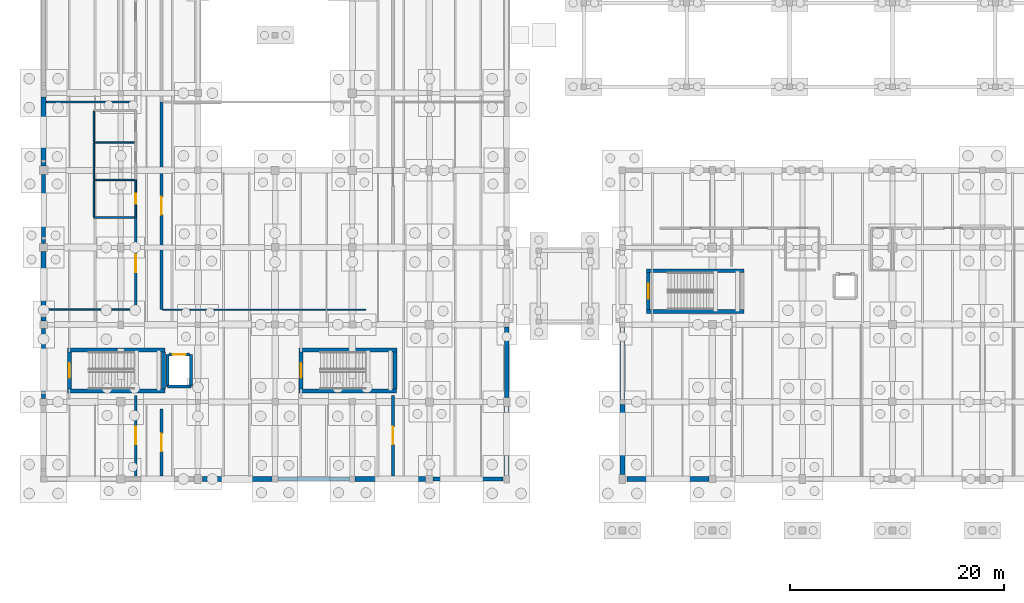
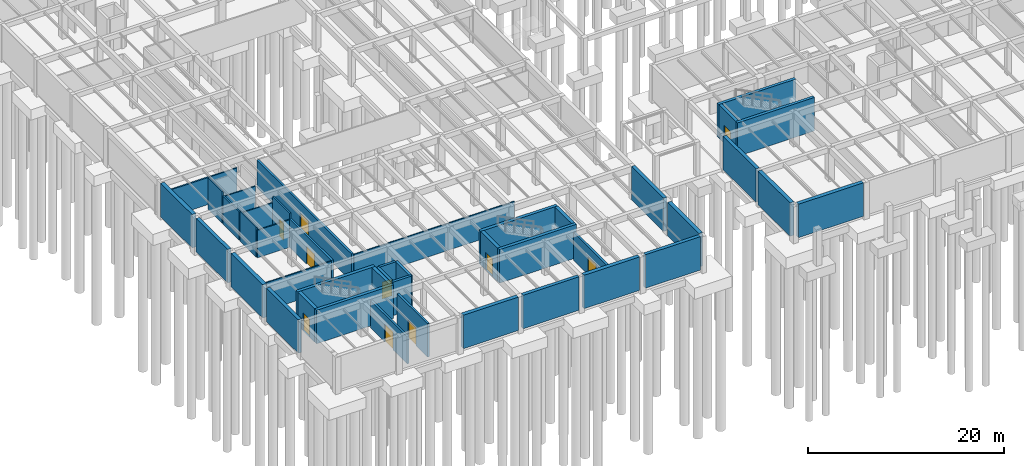
# One storey, part 40 of 63: 43 walls, 10 doors, 10 openings.
"""IFC4 building model written with IfcOpenShell, lengths in metres."""

from ifc_helpers import new_model, si_unit, direction, frame, frame_2d, origin, place, context, subcontext, project, spatial, rectangle, extrude, material, layer, layer_set, type_object, element, fill, save


model = new_model("IFC4")

# Units and contexts
model_context = context("Model", 3, precision=1e-05, world=origin(), true_north=direction((0.0, 1.0)))
body_context = subcontext(model_context, "Body", "Model", "MODEL_VIEW")
ifc_project = project(units=[si_unit("LENGTHUNIT", "METRE"), si_unit("AREAUNIT", "SQUARE_METRE"), si_unit("VOLUMEUNIT", "CUBIC_METRE"), si_unit("PLANEANGLEUNIT", "RADIAN"), si_unit("MASSUNIT", "GRAM", prefix="KILO")], contexts=[model_context])

# Site, building, storey
site_placement = place(None, origin())
site = spatial("IfcSite", under=ifc_project, at=site_placement, CompositionType="ELEMENT")
building_placement = place(site_placement, origin())
building = spatial("IfcBuilding", under=site, at=building_placement, Name="Mazaris Harbour Polytechnic", CompositionType="ELEMENT")
storey_placement = place(building_placement, frame((0.0, 0.0, -4.5)))
storey = spatial("IfcBuildingStorey", under=building, at=storey_placement, Name="B1", CompositionType="ELEMENT", Elevation=-4.5)

# Wall
ifc_material_1 = material(Name="Gypsum Board and Mineral Wool")
ifc_layer_1 = layer(ifc_material_1, 0.1201171875, Name="Gypsum Board and Mineral Wool")
ifc_layer_set_1 = layer_set([ifc_layer_1], Name="Gypsum Board and Mineral Wool")
wall_type_1 = type_object("IfcWallType", Name="Acoustic Stud Partition 120", PredefinedType="PARTITIONING", material=ifc_layer_set_1)
wall_1_placement = place(storey_placement, frame((11.1298828125, 23.0, 0.0), z_axis=(0.0, 0.0, 1.0), x_axis=(1.0, 0.0, 0.0)))
element("IfcWall", 1, at=wall_1_placement, inside=storey, type_object=wall_type_1, Name="V4 B1 Partition 264", PredefinedType="PARTITIONING", context=body_context, shape_type="SweptSolid", body=[
    extrude(rectangle(XDim=18.9501953125, YDim=0.1201171875, at=frame_2d((9.47509765625, 0.0))), origin(), (0.0, 0.0, 1.0), 3.3798828125),
])

# Wall, opening, door
ifc_material_2 = material(Name="Concrete C35/45", Category="concrete")
ifc_layer_2 = layer(ifc_material_2, 0.239990234375, Name="Concrete C35/45")
ifc_layer_set_2 = layer_set([ifc_layer_2], Name="Concrete C35/45")
wall_type_2 = type_object("IfcWallType", Name="Archive Vault Fire Wall 240", PredefinedType="STANDARD", material=ifc_layer_set_2)
wall_2_placement = place(storey_placement, frame((8.60009765625, 7.5, 0.0), z_axis=(0.0, 0.0, 1.0), x_axis=(0.0, 1.0, 0.0)))
wall_2 = element("IfcWall", 2, at=wall_2_placement, inside=storey, type_object=wall_type_2, Name="V4 B1 Partition 253", PredefinedType="STANDARD", context=body_context, shape_type="SweptSolid", body=[
    extrude(rectangle(XDim=7.4951171875, YDim=0.239990234375, at=frame_2d((3.74755859375, 0.0))), origin(), (0.0, 0.0, 1.0), 3.3798828125),
])
opening_1_placement = place(wall_2_placement, frame((2.922607421875, 0.0, 0.0)))
opening_1 = element("IfcOpeningElement", 3, at=opening_1_placement, cuts=wall_2, Name="Opening ID-06D", PredefinedType="OPENING", context=body_context, shape_type="SweptSolid", body=[
    extrude(rectangle(XDim=1.64990234375, YDim=2.25, at=frame_2d((0.824951171875, 1.125))), frame((0.0, 0.1298828125, 0.0), z_axis=(0.0, -1.0, 0.0), x_axis=(1.0, 0.0, 0.0)), (0.0, 0.0, 1.0), 0.260009765625),
])
ifc_material_3 = material(Name="Galvanised Steel S355", Category="steel")
door_type_1 = type_object("IfcDoorType", Name="Plant and Substation Double Door 1650x2250", OperationType="DOUBLE_DOOR_SINGLE_SWING", PredefinedType="DOOR", material=ifc_material_3)
door_1_placement = place(opening_1_placement, origin())
door_1 = element("IfcDoor", 4, at=door_1_placement, inside=storey, type_object=door_type_1, Name="ID-0114", OperationType="DOUBLE_DOOR_SINGLE_SWING", OverallHeight=2.25, OverallWidth=1.64990234375, PredefinedType="DOOR", context=body_context, shape_type="SweptSolid", body=[
    extrude(rectangle(XDim=1.64990234375, YDim=2.25, at=frame_2d((0.824951171875, 1.125))), frame((0.0, 0.02490234375, 0.0), z_axis=(0.0, -1.0, 0.0), x_axis=(1.0, 0.0, 0.0)), (0.0, 0.0, 1.0), 0.050048828125),
])
fill(opening_1, door_1)

wall_3_placement = place(storey_placement, frame((8.60009765625, 23.0, 0.0), z_axis=(0.0, 0.0, 1.0), x_axis=(0.0, 1.0, 0.0)))
wall_3 = element("IfcWall", 5, at=wall_3_placement, inside=storey, type_object=wall_type_2, Name="V4 B1 Partition 255", PredefinedType="STANDARD", context=body_context, shape_type="SweptSolid", body=[
    extrude(rectangle(XDim=8.594970703125, YDim=0.239990234375, at=frame_2d((4.29736328125, 0.0))), origin(), (0.0, 0.0, 1.0), 3.530029296875),
])
opening_2_placement = place(wall_3_placement, frame((3.472412109375, 0.0, 0.0)))
opening_2 = element("IfcOpeningElement", 6, at=opening_2_placement, cuts=wall_3, Name="Opening ID-06D", PredefinedType="OPENING", context=body_context, shape_type="SweptSolid", body=[
    extrude(rectangle(XDim=1.64990234375, YDim=2.25, at=frame_2d((0.824951171875, 1.125))), frame((0.0, 0.1298828125, 0.0), z_axis=(0.0, -1.0, 0.0), x_axis=(1.0, 0.0, 0.0)), (0.0, 0.0, 1.0), 0.260009765625),
])
door_2_placement = place(opening_2_placement, origin())
door_2 = element("IfcDoor", 7, at=door_2_placement, inside=storey, type_object=door_type_1, Name="ID-0115", OperationType="DOUBLE_DOOR_SINGLE_SWING", OverallHeight=2.25, OverallWidth=1.64990234375, PredefinedType="DOOR", context=body_context, shape_type="SweptSolid", body=[
    extrude(rectangle(XDim=1.64990234375, YDim=2.25, at=frame_2d((0.824951171875, 1.125))), frame((0.0, 0.02490234375, 0.0), z_axis=(0.0, -1.0, 0.0), x_axis=(1.0, 0.0, 0.0)), (0.0, 0.0, 1.0), 0.050048828125),
])
fill(opening_2, door_2)

wall_4_placement = place(storey_placement, frame((11.0, 7.5, 0.0), z_axis=(0.0, 0.0, 1.0), x_axis=(0.0, 1.0, 0.0)))
wall_4 = element("IfcWall", 8, at=wall_4_placement, inside=storey, type_object=wall_type_2, Name="V4 B1 Partition 262", PredefinedType="STANDARD", context=body_context, shape_type="SweptSolid", body=[
    extrude(rectangle(XDim=6.219970703125, YDim=0.239990234375, at=frame_2d((3.10986328125, 0.0))), origin(), (0.0, 0.0, 1.0), 4.179931640625),
])
opening_3_placement = place(wall_4_placement, frame((2.284912109375, 0.0, 0.0)))
opening_3 = element("IfcOpeningElement", 9, at=opening_3_placement, cuts=wall_4, Name="Opening ID-06D", PredefinedType="OPENING", context=body_context, shape_type="SweptSolid", body=[
    extrude(rectangle(XDim=1.64990234375, YDim=2.25, at=frame_2d((0.824951171875, 1.125))), frame((0.0, 0.1298828125, 0.0), z_axis=(0.0, -1.0, 0.0), x_axis=(1.0, 0.0, 0.0)), (0.0, 0.0, 1.0), 0.260009765625),
])
door_3_placement = place(opening_3_placement, origin())
door_3 = element("IfcDoor", 10, at=door_3_placement, inside=storey, type_object=door_type_1, Name="ID-0119", OperationType="DOUBLE_DOOR_SINGLE_SWING", OverallHeight=2.25, OverallWidth=1.64990234375, PredefinedType="DOOR", context=body_context, shape_type="SweptSolid", body=[
    extrude(rectangle(XDim=1.64990234375, YDim=2.25, at=frame_2d((0.824951171875, 1.125))), frame((0.0, 0.02490234375, 0.0), z_axis=(0.0, -1.0, 0.0), x_axis=(1.0, 0.0, 0.0)), (0.0, 0.0, 1.0), 0.050048828125),
])
fill(opening_3, door_3)

wall_5_placement = place(storey_placement, frame((11.0, 23.0, 0.0), z_axis=(0.0, 0.0, 1.0), x_axis=(0.0, 1.0, 0.0)))
wall_5 = element("IfcWall", 11, at=wall_5_placement, inside=storey, type_object=wall_type_2, Name="V4 B1 Partition 263", PredefinedType="STANDARD", context=body_context, shape_type="SweptSolid", body=[
    extrude(rectangle(XDim=19.375, YDim=0.239990234375, at=frame_2d((9.6875, 0.0))), origin(), (0.0, 0.0, 1.0), 3.47998046875),
])
opening_4_placement = place(wall_5_placement, frame((8.862548828125, 0.0, 0.0)))
opening_4 = element("IfcOpeningElement", 12, at=opening_4_placement, cuts=wall_5, Name="Opening ID-06D", PredefinedType="OPENING", context=body_context, shape_type="SweptSolid", body=[
    extrude(rectangle(XDim=1.64990234375, YDim=2.25, at=frame_2d((0.824951171875, 1.125))), frame((0.0, 0.1298828125, 0.0), z_axis=(0.0, -1.0, 0.0), x_axis=(1.0, 0.0, 0.0)), (0.0, 0.0, 1.0), 0.260009765625),
])
door_4_placement = place(opening_4_placement, origin())
door_4 = element("IfcDoor", 13, at=door_4_placement, inside=storey, type_object=door_type_1, Name="ID-0120", OperationType="DOUBLE_DOOR_SINGLE_SWING", OverallHeight=2.25, OverallWidth=1.64990234375, PredefinedType="DOOR", context=body_context, shape_type="SweptSolid", body=[
    extrude(rectangle(XDim=1.64990234375, YDim=2.25, at=frame_2d((0.824951171875, 1.125))), frame((0.0, 0.02490234375, 0.0), z_axis=(0.0, -1.0, 0.0), x_axis=(1.0, 0.0, 0.0)), (0.0, 0.0, 1.0), 0.050048828125),
])
fill(opening_4, door_4)

wall_6_placement = place(storey_placement, frame((32.60009765625, 7.5, 0.0), z_axis=(0.0, 0.0, 1.0), x_axis=(0.0, 1.0, 0.0)))
wall_6 = element("IfcWall", 14, at=wall_6_placement, inside=storey, type_object=wall_type_2, Name="V4 B1 Partition 272", PredefinedType="STANDARD", context=body_context, shape_type="SweptSolid", body=[
    extrude(rectangle(XDim=7.4951171875, YDim=0.239990234375, at=frame_2d((3.74755859375, 0.0))), origin(), (0.0, 0.0, 1.0), 3.47998046875),
])
opening_5_placement = place(wall_6_placement, frame((2.922607421875, 0.0, 0.0)))
opening_5 = element("IfcOpeningElement", 15, at=opening_5_placement, cuts=wall_6, Name="Opening ID-06D", PredefinedType="OPENING", context=body_context, shape_type="SweptSolid", body=[
    extrude(rectangle(XDim=1.64990234375, YDim=2.25, at=frame_2d((0.824951171875, 1.125))), frame((0.0, 0.1298828125, 0.0), z_axis=(0.0, -1.0, 0.0), x_axis=(1.0, 0.0, 0.0)), (0.0, 0.0, 1.0), 0.260009765625),
])
door_5_placement = place(opening_5_placement, origin())
door_5 = element("IfcDoor", 16, at=door_5_placement, inside=storey, type_object=door_type_1, Name="ID-0124", OperationType="DOUBLE_DOOR_SINGLE_SWING", OverallHeight=2.25, OverallWidth=1.64990234375, PredefinedType="DOOR", context=body_context, shape_type="SweptSolid", body=[
    extrude(rectangle(XDim=1.64990234375, YDim=2.25, at=frame_2d((0.824951171875, 1.125))), frame((0.0, 0.02490234375, 0.0), z_axis=(0.0, -1.0, 0.0), x_axis=(1.0, 0.0, 0.0)), (0.0, 0.0, 1.0), 0.050048828125),
])
fill(opening_5, door_5)

# Walls
ifc_material_4 = material(Name="Double Gypsum and Mineral Wool")
ifc_layer_3 = layer(ifc_material_4, 0.14990234375, Name="Double Gypsum and Mineral Wool")
ifc_layer_set_3 = layer_set([ifc_layer_3], Name="Double Gypsum and Mineral Wool")
wall_type_3 = type_object("IfcWallType", Name="Classroom Acoustic Partition 150", PredefinedType="PARTITIONING", material=ifc_layer_set_3)
wall_7_placement = place(storey_placement, frame((0.25, 23.0, 0.0), z_axis=(0.0, 0.0, 1.0), x_axis=(1.0, 0.0, 0.0)))
element("IfcWall", 17, at=wall_7_placement, inside=storey, type_object=wall_type_3, Name="V4 B1 Partition 254", PredefinedType="PARTITIONING", context=body_context, shape_type="SweptSolid", body=[
    extrude(rectangle(XDim=8.22998046875, YDim=0.14990234375, at=frame_2d((4.114990234375, 0.0))), origin(), (0.0, 0.0, 1.0), 3.47998046875),
])
ifc_material_5 = material(Name="Fireboard and Mineral Wool")
ifc_layer_4 = layer(ifc_material_5, 0.1650390625, Name="Fireboard and Mineral Wool")
ifc_layer_set_4 = layer_set([ifc_layer_4], Name="Fireboard and Mineral Wool")
wall_type_4 = type_object("IfcWallType", Name="Laboratory Rated Partition 165", PredefinedType="PARTITIONING", material=ifc_layer_set_4)
wall_8_placement = place(storey_placement, frame((0.25, 42.375, 0.0), z_axis=(0.0, 0.0, 1.0), x_axis=(1.0, 0.0, 0.0)))
element("IfcWall", 18, at=wall_8_placement, inside=storey, type_object=wall_type_4, Name="V4 B1 Partition 256", PredefinedType="PARTITIONING", context=body_context, shape_type="SweptSolid", body=[
    extrude(rectangle(XDim=8.22998046875, YDim=0.1650390625, at=frame_2d((4.114990234375, 0.0))), origin(), (0.0, 0.0, 1.0), 3.3798828125),
])

# Wall, opening, door
ifc_material_6 = material(Name="Moisture-Resistant Blockwork", Category="masonry")
ifc_layer_5 = layer(ifc_material_6, 0.175048828125, Name="Moisture-Resistant Blockwork")
ifc_layer_set_5 = layer_set([ifc_layer_5], Name="Moisture-Resistant Blockwork")
wall_type_5 = type_object("IfcWallType", Name="Laboratory Wet Service Wall 175", PredefinedType="PLUMBINGWALL", material=ifc_layer_set_5)
wall_9_placement = place(storey_placement, frame((8.60009765625, 31.60009765625, 0.0), z_axis=(0.0, 0.0, 1.0), x_axis=(0.0, 1.0, 0.0)))
wall_9 = element("IfcWall", 19, at=wall_9_placement, inside=storey, type_object=wall_type_5, Name="V4 B1 Partition 243", PredefinedType="PLUMBINGWALL", context=body_context, shape_type="SweptSolid", body=[
    extrude(rectangle(XDim=3.5, YDim=0.175048828125, at=frame_2d((1.75, 0.0))), origin(), (0.0, 0.0, 1.0), 4.179931640625),
])
opening_6_placement = place(wall_9_placement, frame((1.300048828125, 0.0, 0.0)))
opening_6 = element("IfcOpeningElement", 20, at=opening_6_placement, cuts=wall_9, Name="Opening ID-07R", PredefinedType="OPENING", context=body_context, shape_type="SweptSolid", body=[
    extrude(rectangle(XDim=0.89990234375, YDim=2.10009765625, at=frame_2d((0.449951171875, 1.050048828125))), frame((0.0, 0.097412109375, 0.0), z_axis=(0.0, -1.0, 0.0), x_axis=(1.0, 0.0, 0.0)), (0.0, 0.0, 1.0), 0.195068359375),
])
ifc_material_7 = material(Name="Moisture-Resistant Laminate Timber", Category="wood")
door_type_2 = type_object("IfcDoorType", Name="Sanitary Room Door RH 900x2100", OperationType="SINGLE_SWING_RIGHT", PredefinedType="DOOR", material=ifc_material_7)
door_6_placement = place(opening_6_placement, origin())
door_6 = element("IfcDoor", 21, at=door_6_placement, inside=storey, type_object=door_type_2, Name="ID-0111", OperationType="SINGLE_SWING_RIGHT", OverallHeight=2.10009765625, OverallWidth=0.89990234375, PredefinedType="DOOR", context=body_context, shape_type="SweptSolid", body=[
    extrude(rectangle(XDim=0.89990234375, YDim=2.10009765625, at=frame_2d((0.449951171875, 1.050048828125))), frame((0.0, 0.02490234375, 0.0), z_axis=(0.0, -1.0, 0.0), x_axis=(1.0, 0.0, 0.0)), (0.0, 0.0, 1.0), 0.050048828125),
])
fill(opening_6, door_6)

# Walls
ifc_material_8 = material(Name="Concrete C35/45", Category="concrete")
ifc_layer_6 = layer(ifc_material_8, 0.39990234375, Name="Concrete C35/45")
ifc_layer_set_6 = layer_set([ifc_layer_6], Name="Concrete C35/45")
wall_type_6 = type_object("IfcWallType", Name="RC Basement Retaining Wall 400", PredefinedType="USERDEFINED", material=ifc_layer_set_6)
wall_10_placement = place(storey_placement, frame((54.0, 14.625, 0.0), z_axis=(0.0, 0.0, 1.0), x_axis=(0.0, 1.0, 0.0)))
element("IfcWall", 22, at=wall_10_placement, inside=storey, type_object=wall_type_6, Name="V3 B1 Retaining Wall 64", ObjectType="RETAINING WALL", PredefinedType="USERDEFINED", context=body_context, shape_type="SweptSolid", body=[
    extrude(rectangle(XDim=6.72509765625, YDim=0.39990234375, at=frame_2d((3.362548828125, 0.0))), origin(), (0.0, 0.0, 1.0), 4.179931640625),
])
wall_11_placement = place(storey_placement, frame((21.875, 7.199951171875, 0.0), z_axis=(0.0, 0.0, 1.0), x_axis=(1.0, 0.0, 0.0)))
element("IfcWall", 23, at=wall_11_placement, inside=storey, type_object=wall_type_6, Name="V4 B1 Retaining Wall 72", ObjectType="RETAINING WALL", PredefinedType="USERDEFINED", context=body_context, shape_type="SweptSolid", body=[
    extrude(rectangle(XDim=6.64990234375, YDim=0.39990234375, at=frame_2d((3.324951171875, 0.0))), origin(), (0.0, 0.0, 1.0), 4.179931640625),
])
wall_12_placement = place(storey_placement, frame((36.35009765625, 7.199951171875, 0.0), z_axis=(0.0, 0.0, 1.0), x_axis=(1.0, 0.0, 0.0)))
element("IfcWall", 24, at=wall_12_placement, inside=storey, type_object=wall_type_6, Name="V4 B1 Retaining Wall 74", ObjectType="RETAINING WALL", PredefinedType="USERDEFINED", context=body_context, shape_type="SweptSolid", body=[
    extrude(rectangle(XDim=6.5, YDim=0.39990234375, at=frame_2d((3.25, 0.0))), origin(), (0.0, 0.0, 1.0), 4.179931640625),
])
wall_13_placement = place(storey_placement, frame((0.0, 14.72509765625, 0.0), z_axis=(0.0, 0.0, 1.0), x_axis=(0.0, 1.0, 0.0)))
element("IfcWall", 25, at=wall_13_placement, inside=storey, type_object=wall_type_6, Name="V4 B1 Retaining Wall 82", ObjectType="RETAINING WALL", PredefinedType="USERDEFINED", context=body_context, shape_type="SweptSolid", body=[
    extrude(rectangle(XDim=6.52490234375, YDim=0.39990234375, at=frame_2d((3.262451171875, 0.0))), origin(), (0.0, 0.0, 1.0), 4.179931640625),
])
wall_14_placement = place(storey_placement, frame((0.0, 29.175048828125, 0.0), z_axis=(0.0, 0.0, 1.0), x_axis=(0.0, 1.0, 0.0)))
element("IfcWall", 26, at=wall_14_placement, inside=storey, type_object=wall_type_6, Name="V4 B1 Retaining Wall 84", ObjectType="RETAINING WALL", PredefinedType="USERDEFINED", context=body_context, shape_type="SweptSolid", body=[
    extrude(rectangle(XDim=6.425048828125, YDim=0.39990234375, at=frame_2d((3.21240234375, 0.0))), origin(), (0.0, 0.0, 1.0), 4.179931640625),
])
wall_15_placement = place(storey_placement, frame((43.199951171875, 14.824951171875, 0.0), z_axis=(0.0, 0.0, 1.0), x_axis=(0.0, 1.0, 0.0)))
element("IfcWall", 27, at=wall_15_placement, inside=storey, type_object=wall_type_6, Name="V4 B1 Retaining Wall 94", ObjectType="RETAINING WALL", PredefinedType="USERDEFINED", context=body_context, shape_type="SweptSolid", body=[
    extrude(rectangle(XDim=6.550048828125, YDim=0.39990234375, at=frame_2d((3.27490234375, 0.0))), origin(), (0.0, 0.0, 1.0), 4.179931640625),
])
ifc_material_9 = material(Name="Concrete C35/45", Category="concrete")
ifc_layer_7 = layer(ifc_material_9, 0.449951171875, Name="Concrete C35/45")
ifc_layer_set_7 = layer_set([ifc_layer_7], Name="Concrete C35/45")
wall_type_7 = type_object("IfcWallType", Name="RC Basement Retaining Wall 450", PredefinedType="USERDEFINED", material=ifc_layer_set_7)
wall_16_placement = place(storey_placement, frame((54.425048828125, 7.199951171875, 0.0), z_axis=(0.0, 0.0, 1.0), x_axis=(1.0, 0.0, 0.0)))
element("IfcWall", 28, at=wall_16_placement, inside=storey, type_object=wall_type_7, Name="V3 B1 Retaining Wall 49", ObjectType="RETAINING WALL", PredefinedType="USERDEFINED", context=body_context, shape_type="SweptSolid", body=[
    extrude(rectangle(XDim=7.64990234375, YDim=0.449951171875, at=frame_2d((3.824951171875, 0.0))), origin(), (0.0, 0.0, 1.0), 4.179931640625),
])
wall_17_placement = place(storey_placement, frame((54.0, 7.625, 0.0), z_axis=(0.0, 0.0, 1.0), x_axis=(0.0, 1.0, 0.0)))
element("IfcWall", 29, at=wall_17_placement, inside=storey, type_object=wall_type_7, Name="V3 B1 Retaining Wall 63", ObjectType="RETAINING WALL", PredefinedType="USERDEFINED", context=body_context, shape_type="SweptSolid", body=[
    extrude(rectangle(XDim=6.550048828125, YDim=0.449951171875, at=frame_2d((3.27490234375, 0.0))), origin(), (0.0, 0.0, 1.0), 4.179931640625),
])
wall_18_placement = place(storey_placement, frame((14.824951171875, 7.199951171875, 0.0), z_axis=(0.0, 0.0, 1.0), x_axis=(1.0, 0.0, 0.0)))
element("IfcWall", 30, at=wall_18_placement, inside=storey, type_object=wall_type_7, Name="V4 B1 Retaining Wall 71", ObjectType="RETAINING WALL", PredefinedType="USERDEFINED", context=body_context, shape_type="SweptSolid", body=[
    extrude(rectangle(XDim=6.5, YDim=0.449951171875, at=frame_2d((3.25, 0.0))), origin(), (0.0, 0.0, 1.0), 4.179931640625),
])
wall_19_placement = place(storey_placement, frame((29.074951171875, 7.199951171875, 0.0), z_axis=(0.0, 0.0, 1.0), x_axis=(1.0, 0.0, 0.0)))
element("IfcWall", 31, at=wall_19_placement, inside=storey, type_object=wall_type_7, Name="V4 B1 Retaining Wall 73", ObjectType="RETAINING WALL", PredefinedType="USERDEFINED", context=body_context, shape_type="SweptSolid", body=[
    extrude(rectangle(XDim=6.574951171875, YDim=0.449951171875, at=frame_2d((3.28759765625, 0.0))), origin(), (0.0, 0.0, 1.0), 4.179931640625),
])
wall_20_placement = place(storey_placement, frame((0.0, 21.949951171875, 0.0), z_axis=(0.0, 0.0, 1.0), x_axis=(0.0, 1.0, 0.0)))
element("IfcWall", 32, at=wall_20_placement, inside=storey, type_object=wall_type_7, Name="V4 B1 Retaining Wall 83", ObjectType="RETAINING WALL", PredefinedType="USERDEFINED", context=body_context, shape_type="SweptSolid", body=[
    extrude(rectangle(XDim=6.47509765625, YDim=0.449951171875, at=frame_2d((3.237548828125, 0.0))), origin(), (0.0, 0.0, 1.0), 4.179931640625),
])
wall_21_placement = place(storey_placement, frame((0.0, 36.39990234375, 0.0), z_axis=(0.0, 0.0, 1.0), x_axis=(0.0, 1.0, 0.0)))
element("IfcWall", 33, at=wall_21_placement, inside=storey, type_object=wall_type_7, Name="V4 B1 Retaining Wall 85", ObjectType="RETAINING WALL", PredefinedType="USERDEFINED", context=body_context, shape_type="SweptSolid", body=[
    extrude(rectangle(XDim=6.4501953125, YDim=0.449951171875, at=frame_2d((3.22509765625, 0.0))), origin(), (0.0, 0.0, 1.0), 4.179931640625),
])
wall_22_placement = place(storey_placement, frame((43.199951171875, 7.550048828125, 0.0), z_axis=(0.0, 0.0, 1.0), x_axis=(0.0, 1.0, 0.0)))
element("IfcWall", 34, at=wall_22_placement, inside=storey, type_object=wall_type_7, Name="V4 B1 Retaining Wall 93", ObjectType="RETAINING WALL", PredefinedType="USERDEFINED", context=body_context, shape_type="SweptSolid", body=[
    extrude(rectangle(XDim=6.425048828125, YDim=0.449951171875, at=frame_2d((3.21240234375, 0.0))), origin(), (0.0, 0.0, 1.0), 4.179931640625),
])
ifc_material_10 = material(Name="Concrete C40/50", Category="concrete")
ifc_layer_8 = layer(ifc_material_10, 0.35009765625, Name="Concrete C40/50")
ifc_layer_set_8 = layer_set([ifc_layer_8], Name="Concrete C40/50")
wall_type_8 = type_object("IfcWallType", Name="RC Core Shear Wall 350", PredefinedType="SHEAR", material=ifc_layer_set_8)
for number, where, z_axis, x_axis, name in (
    (35, (56.25, 22.824951171875, 0.0), (0.0, 0.0, 1.0), (1.0, 0.0, 0.0), "Core ST05 B1 Shear Wall S"),
    (36, (65.35009765625, 26.625, 0.0), (0.0, 0.0, 1.0), (-1.0, 0.0, 0.0), "Core ST05 B1 Shear Wall N"),
):
    element("IfcWall", number, at=place(storey_placement, frame(where, z_axis=z_axis, x_axis=x_axis)), inside=storey, type_object=wall_type_8, Name=name, PredefinedType="SHEAR", context=body_context, shape_type="SweptSolid", body=[
        extrude(rectangle(XDim=9.10009765625, YDim=0.35009765625, at=frame_2d((4.550048828125, 0.0))), origin(), (0.0, 0.0, 1.0), 4.179931640625),
    ])

# Wall, opening, door
wall_23_placement = place(storey_placement, frame((56.425048828125, 26.449951171875, 0.0), z_axis=(0.0, 0.0, 1.0), x_axis=(0.0, -1.0, 0.0)))
wall_23 = element("IfcWall", 37, at=wall_23_placement, inside=storey, type_object=wall_type_8, Name="Core ST05 B1 Entrance Shear Wall", PredefinedType="SHEAR", context=body_context, shape_type="SweptSolid", body=[
    extrude(rectangle(XDim=3.449951171875, YDim=0.35009765625, at=frame_2d((1.72509765625, 0.0))), origin(), (0.0, 0.0, 1.0), 4.179931640625),
])
opening_7_placement = place(wall_23_placement, frame((1.034912109375, 0.0, 0.0)))
opening_7 = element("IfcOpeningElement", 38, at=opening_7_placement, cuts=wall_23, Name="Opening SD-01", PredefinedType="OPENING", context=body_context, shape_type="SweptSolid", body=[
    extrude(rectangle(XDim=1.3798828125, YDim=2.199951171875, at=frame_2d((0.68994140625, 1.10009765625))), frame((0.0, 0.18505859375, 0.0), z_axis=(0.0, -1.0, 0.0), x_axis=(1.0, 0.0, 0.0)), (0.0, 0.0, 1.0), 0.3701171875),
])
ifc_material_11 = material(Name="Glulam Timber and Fire Glass", Category="wood")
door_type_3 = type_object("IfcDoorType", Name="Protected Stair Lobby Fire Door 1380x2200", OperationType="DOUBLE_DOOR_SINGLE_SWING", PredefinedType="DOOR", material=ifc_material_11)
door_7_placement = place(opening_7_placement, origin())
door_7 = element("IfcDoor", 39, at=door_7_placement, inside=storey, type_object=door_type_3, Name="SD-019", OperationType="DOUBLE_DOOR_SINGLE_SWING", OverallHeight=2.199951171875, OverallWidth=1.3798828125, PredefinedType="DOOR", context=body_context, shape_type="SweptSolid", body=[
    extrude(rectangle(XDim=1.3798828125, YDim=2.199951171875, at=frame_2d((0.68994140625, 1.10009765625))), frame((0.0, 0.02490234375, 0.0), z_axis=(0.0, -1.0, 0.0), x_axis=(1.0, 0.0, 0.0)), (0.0, 0.0, 1.0), 0.050048828125),
])
fill(opening_7, door_7)

# Walls
ifc_material_12 = material(Name="Concrete C40/50", Category="concrete")
ifc_layer_9 = layer(ifc_material_12, 0.375, Name="Concrete C40/50")
ifc_layer_set_9 = layer_set([ifc_layer_9], Name="Concrete C40/50")
wall_type_9 = type_object("IfcWallType", Name="RC Core Shear Wall 375", PredefinedType="SHEAR", material=ifc_layer_set_9)
for number, where, z_axis, x_axis, name in (
    (40, (2.25, 15.425048828125, 0.0), (0.0, 0.0, 1.0), (1.0, 0.0, 0.0), "Core ST07 B1 Shear Wall S"),
    (41, (11.35009765625, 19.22509765625, 0.0), (0.0, 0.0, 1.0), (-1.0, 0.0, 0.0), "Core ST07 B1 Shear Wall N"),
):
    element("IfcWall", number, at=place(storey_placement, frame(where, z_axis=z_axis, x_axis=x_axis)), inside=storey, type_object=wall_type_9, Name=name, PredefinedType="SHEAR", context=body_context, shape_type="SweptSolid", body=[
        extrude(rectangle(XDim=9.10009765625, YDim=0.375, at=frame_2d((4.550048828125, 0.0))), origin(), (0.0, 0.0, 1.0), 4.179931640625),
    ])
wall_24_placement = place(storey_placement, frame((11.175048828125, 15.60009765625, 0.0), z_axis=(0.0, 0.0, 1.0), x_axis=(0.0, 1.0, 0.0)))
element("IfcWall", 42, at=wall_24_placement, inside=storey, type_object=wall_type_9, Name="Core ST07 B1 Shear Wall E", PredefinedType="SHEAR", context=body_context, shape_type="SweptSolid", body=[
    extrude(rectangle(XDim=3.449951171875, YDim=0.375, at=frame_2d((1.72509765625, 0.0))), origin(), (0.0, 0.0, 1.0), 4.179931640625),
])
for number, where, z_axis, x_axis, name in (
    (43, (23.85009765625, 15.425048828125, 0.0), (0.0, 0.0, 1.0), (1.0, 0.0, 0.0), "Core ST08 B1 Shear Wall S"),
    (44, (32.949951171875, 19.22509765625, 0.0), (0.0, 0.0, 1.0), (-1.0, 0.0, 0.0), "Core ST08 B1 Shear Wall N"),
):
    element("IfcWall", number, at=place(storey_placement, frame(where, z_axis=z_axis, x_axis=x_axis)), inside=storey, type_object=wall_type_9, Name=name, PredefinedType="SHEAR", context=body_context, shape_type="SweptSolid", body=[
        extrude(rectangle(XDim=9.099853515625, YDim=0.375, at=frame_2d((4.5498046875, 0.0))), origin(), (0.0, 0.0, 1.0), 4.179931640625),
    ])
wall_25_placement = place(storey_placement, frame((32.77490234375, 15.60009765625, 0.0), z_axis=(0.0, 0.0, 1.0), x_axis=(0.0, 1.0, 0.0)))
element("IfcWall", 45, at=wall_25_placement, inside=storey, type_object=wall_type_9, Name="Core ST08 B1 Shear Wall E", PredefinedType="SHEAR", context=body_context, shape_type="SweptSolid", body=[
    extrude(rectangle(XDim=3.449951171875, YDim=0.375, at=frame_2d((1.72509765625, 0.0))), origin(), (0.0, 0.0, 1.0), 4.179931640625),
])

# Wall, opening, door
wall_26_placement = place(storey_placement, frame((2.425048828125, 19.050048828125, 0.0), z_axis=(0.0, 0.0, 1.0), x_axis=(0.0, -1.0, 0.0)))
wall_26 = element("IfcWall", 46, at=wall_26_placement, inside=storey, type_object=wall_type_9, Name="Core ST07 B1 Entrance Shear Wall", PredefinedType="SHEAR", context=body_context, shape_type="SweptSolid", body=[
    extrude(rectangle(XDim=3.449951171875, YDim=0.375, at=frame_2d((1.72509765625, 0.0))), origin(), (0.0, 0.0, 1.0), 4.179931640625),
])
opening_8_placement = place(wall_26_placement, frame((1.034912109375, 0.0, 0.0)))
opening_8 = element("IfcOpeningElement", 47, at=opening_8_placement, cuts=wall_26, Name="Opening SD-01", PredefinedType="OPENING", context=body_context, shape_type="SweptSolid", body=[
    extrude(rectangle(XDim=1.3798828125, YDim=2.199951171875, at=frame_2d((0.68994140625, 1.10009765625))), frame((0.0, 0.197509765625, 0.0), z_axis=(0.0, -1.0, 0.0), x_axis=(1.0, 0.0, 0.0)), (0.0, 0.0, 1.0), 0.39501953125),
])
door_8_placement = place(opening_8_placement, origin())
door_8 = element("IfcDoor", 48, at=door_8_placement, inside=storey, type_object=door_type_3, Name="SD-028", OperationType="DOUBLE_DOOR_SINGLE_SWING", OverallHeight=2.199951171875, OverallWidth=1.3798828125, PredefinedType="DOOR", context=body_context, shape_type="SweptSolid", body=[
    extrude(rectangle(XDim=1.3798828125, YDim=2.199951171875, at=frame_2d((0.68994140625, 1.10009765625))), frame((0.0, 0.02490234375, 0.0), z_axis=(0.0, -1.0, 0.0), x_axis=(1.0, 0.0, 0.0)), (0.0, 0.0, 1.0), 0.050048828125),
])
fill(opening_8, door_8)

wall_27_placement = place(storey_placement, frame((24.02490234375, 19.050048828125, 0.0), z_axis=(0.0, 0.0, 1.0), x_axis=(0.0, -1.0, 0.0)))
wall_27 = element("IfcWall", 49, at=wall_27_placement, inside=storey, type_object=wall_type_9, Name="Core ST08 B1 Entrance Shear Wall", PredefinedType="SHEAR", context=body_context, shape_type="SweptSolid", body=[
    extrude(rectangle(XDim=3.449951171875, YDim=0.375, at=frame_2d((1.72509765625, 0.0))), origin(), (0.0, 0.0, 1.0), 4.179931640625),
])
opening_9_placement = place(wall_27_placement, frame((1.034912109375, 0.0, 0.0)))
opening_9 = element("IfcOpeningElement", 50, at=opening_9_placement, cuts=wall_27, Name="Opening SD-01", PredefinedType="OPENING", context=body_context, shape_type="SweptSolid", body=[
    extrude(rectangle(XDim=1.3798828125, YDim=2.199951171875, at=frame_2d((0.68994140625, 1.10009765625))), frame((0.0, 0.197509765625, 0.0), z_axis=(0.0, -1.0, 0.0), x_axis=(1.0, 0.0, 0.0)), (0.0, 0.0, 1.0), 0.39501953125),
])
door_9_placement = place(opening_9_placement, origin())
door_9 = element("IfcDoor", 51, at=door_9_placement, inside=storey, type_object=door_type_3, Name="SD-035", OperationType="DOUBLE_DOOR_SINGLE_SWING", OverallHeight=2.199951171875, OverallWidth=1.3798828125, PredefinedType="DOOR", context=body_context, shape_type="SweptSolid", body=[
    extrude(rectangle(XDim=1.3798828125, YDim=2.199951171875, at=frame_2d((0.68994140625, 1.10009765625))), frame((0.0, 0.02490234375, 0.0), z_axis=(0.0, -1.0, 0.0), x_axis=(1.0, 0.0, 0.0)), (0.0, 0.0, 1.0), 0.050048828125),
])
fill(opening_9, door_9)

# Walls
ifc_material_13 = material(Name="Concrete C40/50", Category="concrete")
ifc_layer_10 = layer(ifc_material_13, 0.300048828125, Name="Concrete C40/50")
ifc_layer_set_10 = layer_set([ifc_layer_10], Name="Concrete C40/50")
wall_type_10 = type_object("IfcWallType", Name="RC Lift Shaft Wall 300", PredefinedType="SHEAR", material=ifc_layer_set_10)
wall_28_placement = place(storey_placement, frame((11.550048828125, 15.824951171875, 0.0), z_axis=(0.0, 0.0, 1.0), x_axis=(1.0, 0.0, 0.0)))
element("IfcWall", 52, at=wall_28_placement, inside=storey, type_object=wall_type_10, Name="Lift LF-01 B1 South Shaft Wall", PredefinedType="SHEAR", context=body_context, shape_type="SweptSolid", body=[
    extrude(rectangle(XDim=2.199951171875, YDim=0.300048828125, at=frame_2d((1.10009765625, 0.0))), origin(), (0.0, 0.0, 1.0), 4.179931640625),
])
for number, where, z_axis, x_axis, name in (
    (53, (11.550048828125, 18.824951171875, 0.0), (0.0, 0.0, 1.0), (0.0, -1.0, 0.0), "Lift LF-01 B1 West Shaft Wall"),
    (54, (13.75, 15.824951171875, 0.0), (0.0, 0.0, 1.0), (0.0, 1.0, 0.0), "Lift LF-01 B1 East Shaft Wall"),
):
    element("IfcWall", number, at=place(storey_placement, frame(where, z_axis=z_axis, x_axis=x_axis)), inside=storey, type_object=wall_type_10, Name=name, PredefinedType="SHEAR", context=body_context, shape_type="SweptSolid", body=[
        extrude(rectangle(XDim=3.0, YDim=0.300048828125, at=frame_2d((1.5, 0.0))), origin(), (0.0, 0.0, 1.0), 4.179931640625),
    ])

# Wall, opening, door
wall_29_placement = place(storey_placement, frame((11.68994140625, 18.824951171875, 0.0), z_axis=(0.0, 0.0, 1.0), x_axis=(1.0, 0.0, 0.0)))
wall_29 = element("IfcWall", 55, at=wall_29_placement, inside=storey, type_object=wall_type_10, Name="Lift LF-01 B1 Front Shaft Wall", PredefinedType="SHEAR", context=body_context, shape_type="SweptSolid", body=[
    extrude(rectangle(XDim=1.920166015625, YDim=0.300048828125, at=frame_2d((0.9599609375, 0.0))), origin(), (0.0, 0.0, 1.0), 4.179931640625),
])
opening_10_placement = place(wall_29_placement, frame((0.360107421875, 0.0, 0.0)))
opening_10 = element("IfcOpeningElement", 56, at=opening_10_placement, cuts=wall_29, Name="Opening LD-02", PredefinedType="OPENING", context=body_context, shape_type="SweptSolid", body=[
    extrude(rectangle(XDim=1.199951171875, YDim=2.10009765625, at=frame_2d((0.60009765625, 1.050048828125))), frame((0.0, 0.159912109375, 0.0), z_axis=(0.0, -1.0, 0.0), x_axis=(1.0, 0.0, 0.0)), (0.0, 0.0, 1.0), 0.320068359375),
])
ifc_material_14 = material(Name="Stainless Steel S355", Category="steel")
door_type_4 = type_object("IfcDoorType", Name="Sliding Firefighting Lift Landing Door 1200x2100", OperationType="SLIDING_TO_LEFT", PredefinedType="DOOR", material=ifc_material_14)
door_10_placement = place(opening_10_placement, origin())
door_10 = element("IfcDoor", 57, at=door_10_placement, inside=storey, type_object=door_type_4, Name="LD-001", OperationType="SLIDING_TO_LEFT", OverallHeight=2.10009765625, OverallWidth=1.199951171875, PredefinedType="DOOR", context=body_context, shape_type="SweptSolid", body=[
    extrude(rectangle(XDim=1.199951171875, YDim=2.10009765625, at=frame_2d((0.60009765625, 1.050048828125))), frame((0.0, 0.02490234375, 0.0), z_axis=(0.0, -1.0, 0.0), x_axis=(1.0, 0.0, 0.0)), (0.0, 0.0, 1.0), 0.050048828125),
])
fill(opening_10, door_10)

# Walls
ifc_material_15 = material(Name="Moisture-Resistant Gypsum and Steel Stud", Category="steel")
ifc_layer_11 = layer(ifc_material_15, 0.14501953125, Name="Moisture-Resistant Gypsum and Steel Stud")
ifc_layer_set_11 = layer_set([ifc_layer_11], Name="Moisture-Resistant Gypsum and Steel Stud")
wall_type_11 = type_object("IfcWallType", Name="Sanitary Plumbing Wall 145", PredefinedType="PLUMBINGWALL", material=ifc_layer_set_11)
for number, where, z_axis, x_axis, name in (
    (58, (4.699951171875, 31.60009765625, 0.0), (0.0, 0.0, 1.0), (1.0, 0.0, 0.0), "V4 B1 Partition 244"),
    (59, (4.699951171875, 35.10009765625, 0.0), (0.0, 0.0, 1.0), (1.0, 0.0, 0.0), "V4 B1 Partition 245"),
):
    element("IfcWall", number, at=place(storey_placement, frame(where, z_axis=z_axis, x_axis=x_axis)), inside=storey, type_object=wall_type_11, Name=name, PredefinedType="PLUMBINGWALL", context=body_context, shape_type="SweptSolid", body=[
        extrude(rectangle(XDim=3.780029296875, YDim=0.14501953125, at=frame_2d((1.89013671875, 0.0))), origin(), (0.0, 0.0, 1.0), 3.429931640625),
    ])
wall_30_placement = place(storey_placement, frame((4.699951171875, 31.6826171875, 0.0), z_axis=(0.0, 0.0, 1.0), x_axis=(0.0, 1.0, 0.0)))
element("IfcWall", 60, at=wall_30_placement, inside=storey, type_object=wall_type_11, Name="V4 B1 Partition 246", PredefinedType="PLUMBINGWALL", context=body_context, shape_type="SweptSolid", body=[
    extrude(rectangle(XDim=3.3349609375, YDim=0.14501953125, at=frame_2d((1.66748046875, 0.0))), origin(), (0.0, 0.0, 1.0), 3.72998046875),
])
wall_31_placement = place(storey_placement, frame((4.699951171875, 38.60009765625, 0.0), z_axis=(0.0, 0.0, 1.0), x_axis=(1.0, 0.0, 0.0)))
element("IfcWall", 61, at=wall_31_placement, inside=storey, type_object=wall_type_11, Name="V4 B1 Partition 248", PredefinedType="PLUMBINGWALL", context=body_context, shape_type="SweptSolid", body=[
    extrude(rectangle(XDim=3.780029296875, YDim=0.14501953125, at=frame_2d((1.89013671875, 0.0))), origin(), (0.0, 0.0, 1.0), 3.3798828125),
])
wall_32_placement = place(storey_placement, frame((4.699951171875, 35.1826171875, 0.0), z_axis=(0.0, 0.0, 1.0), x_axis=(0.0, 1.0, 0.0)))
element("IfcWall", 62, at=wall_32_placement, inside=storey, type_object=wall_type_11, Name="V4 B1 Partition 249", PredefinedType="PLUMBINGWALL", context=body_context, shape_type="SweptSolid", body=[
    extrude(rectangle(XDim=3.3349609375, YDim=0.14501953125, at=frame_2d((1.66748046875, 0.0))), origin(), (0.0, 0.0, 1.0), 3.530029296875),
])
wall_33_placement = place(storey_placement, frame((4.699951171875, 38.6826171875, 0.0), z_axis=(0.0, 0.0, 1.0), x_axis=(0.0, 1.0, 0.0)))
element("IfcWall", 63, at=wall_33_placement, inside=storey, type_object=wall_type_11, Name="V4 B1 Partition 252", PredefinedType="PLUMBINGWALL", context=body_context, shape_type="SweptSolid", body=[
    extrude(rectangle(XDim=2.8349609375, YDim=0.14501953125, at=frame_2d((1.41748046875, 0.0))), origin(), (0.0, 0.0, 1.0), 3.93994140625),
])

save(model, "model.ifc")
